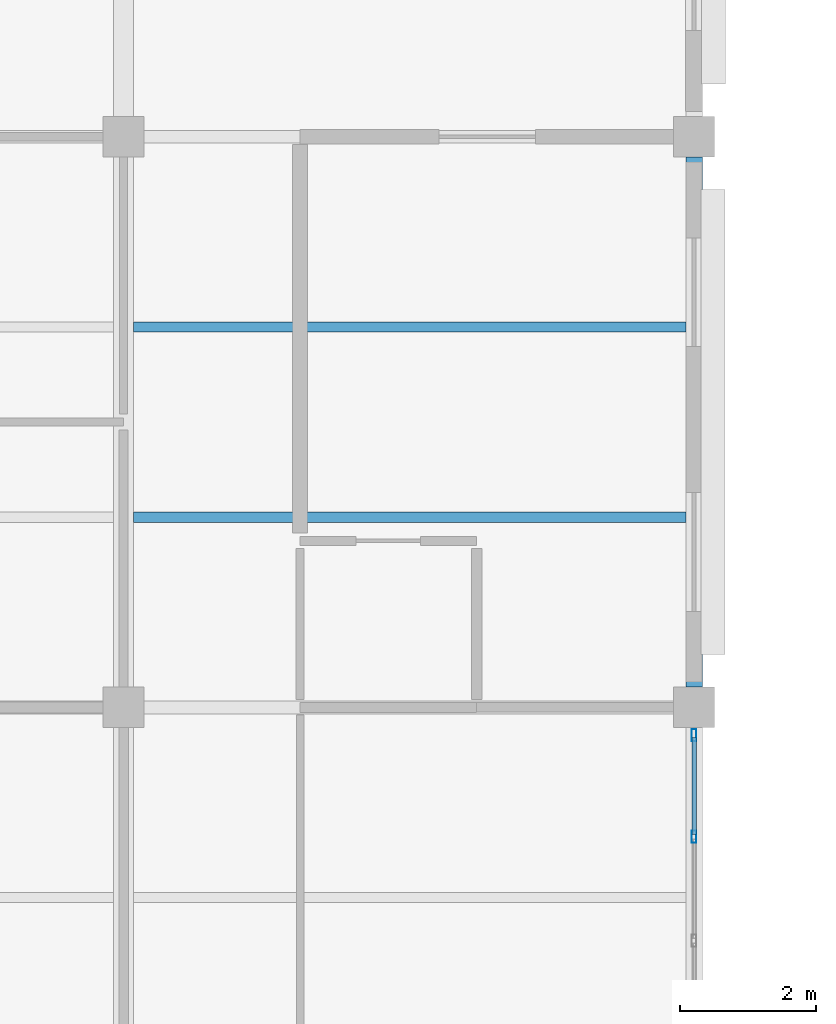
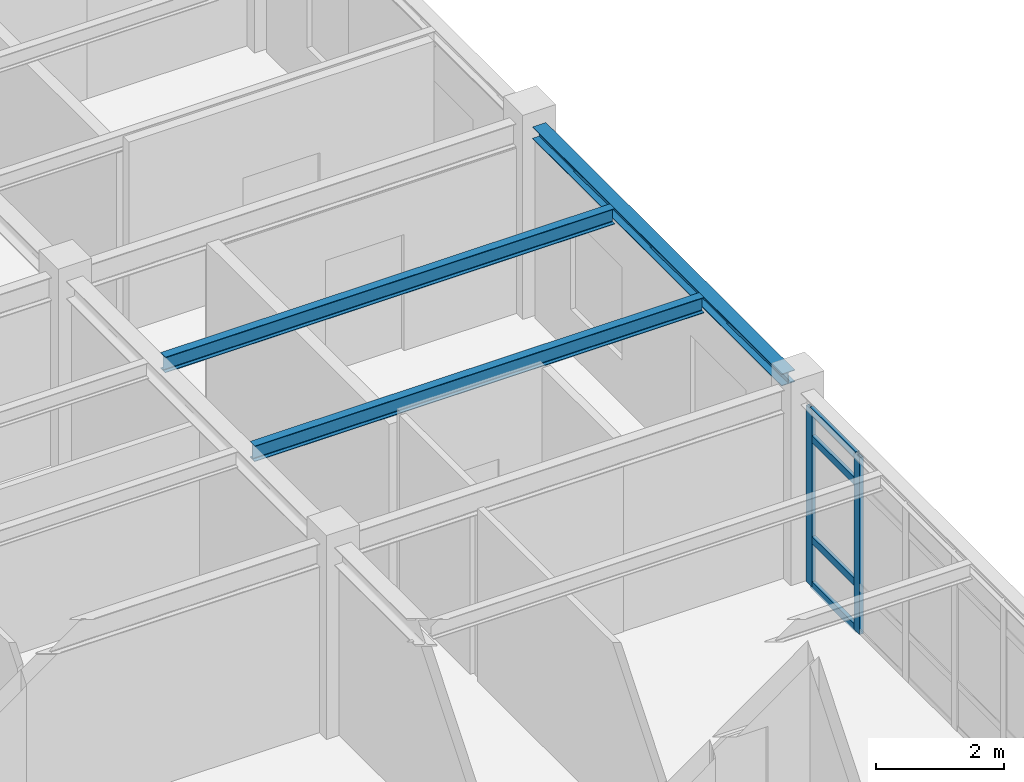
# One storey, part 12 of 86: 6 members, 3 beams, 1 element without a shape of its own.
"""IFC4 building model written with IfcOpenShell, lengths in metres."""

from ifc_helpers import new_model, si_unit, direction, frame, origin, origin_2d, place, context, subcontext, project, spatial, hollow_rectangle, i_section, extrude, material, layer, layer_set, material_profile, profile_set, type_object, element, aggregate, save


model = new_model("IFC4")

# Units and contexts
model_context = context("Model", 3, precision=1e-05, world=origin(), true_north=direction((0.0, 1.0)))
body_context = subcontext(model_context, "Body", "Model", "MODEL_VIEW")
ifc_project = project(units=[si_unit("LENGTHUNIT", "METRE"), si_unit("AREAUNIT", "SQUARE_METRE"), si_unit("VOLUMEUNIT", "CUBIC_METRE"), si_unit("PLANEANGLEUNIT", "RADIAN"), si_unit("MASSUNIT", "GRAM", prefix="KILO")], contexts=[model_context])

# Site, building, storey
site_placement = place(None, origin())
site = spatial("IfcSite", under=ifc_project, at=site_placement, CompositionType="ELEMENT")
building_placement = place(site_placement, origin())
building = spatial("IfcBuilding", under=site, at=building_placement, Name="Bramfleet General Hospital", CompositionType="ELEMENT")
storey_placement = place(building_placement, frame((0.0, 0.0, 18.60009765625)))
storey = spatial("IfcBuildingStorey", under=building, at=storey_placement, Name="L04", CompositionType="ELEMENT", Elevation=18.60009765625)

# Beams
ifc_material_1 = material(Name="Steel S355", Category="steel")
ifc_material_profile_1 = material_profile(ifc_material_1, i_section(OverallWidth=0.239990234375, OverallDepth=0.22998046875, WebThickness=0.007568359375, FlangeThickness=0.011962890625, FilletRadius=0.02099609375, at=origin_2d()), Name="HEA 240")
ifc_profile_set_1 = profile_set([ifc_material_profile_1], Name="Steel S355")
beam_type_1 = type_object("IfcBeamType", Name="BM-HEA240", PredefinedType="SPANDREL", material=ifc_profile_set_1)
beam_placement = place(storey_placement, frame((117.60009765625, 33.89990234375, 3.5048828125), z_axis=(0.0, 1.0, 0.0), x_axis=(-1.0, 0.0, 0.0)))
element("IfcBeam", 1, at=beam_placement, inside=storey, type_object=beam_type_1, Name="L04 Grid Beam Y 14-04", PredefinedType="SPANDREL", context=body_context, shape_type="SweptSolid", body=[
    extrude(i_section(OverallWidth=0.239990234375, OverallDepth=0.22998046875, WebThickness=0.007568359375, FlangeThickness=0.011962890625, FilletRadius=0.02099609375, at=origin_2d()), origin(), (0.0, 0.0, 1.0), 7.800048828125),
])
ifc_material_profile_2 = material_profile(ifc_material_1, i_section(OverallWidth=0.14990234375, OverallDepth=0.300048828125, WebThickness=0.007080078125, FlangeThickness=0.0107421875, FilletRadius=0.014892578125, at=origin_2d()), Name="IPE 300")
ifc_profile_set_2 = profile_set([ifc_material_profile_2], Name="Steel S355")
beam_type_2 = type_object("IfcBeamType", Name="BM-IPE300", PredefinedType="JOIST", material=ifc_profile_set_2)
for number, where, z_axis, x_axis, name in (
    (2, (109.35009765625, 36.39990234375, 3.469970703125), (1.0, 0.0, 0.0), (0.0, 1.0, 0.0), "L04 Secondary Joist 13-04-1"),
    (3, (109.35009765625, 39.199951171875, 3.469970703125), (1.0, 0.0, 0.0), (0.0, 1.0, 0.0), "L04 Secondary Joist 13-04-2"),
):
    element("IfcBeam", number, at=place(storey_placement, frame(where, z_axis=z_axis, x_axis=x_axis)), inside=storey, type_object=beam_type_2, Name=name, PredefinedType="JOIST", context=body_context, shape_type="SweptSolid", body=[
        extrude(i_section(OverallWidth=0.14990234375, OverallDepth=0.300048828125, WebThickness=0.007080078125, FlangeThickness=0.0107421875, FilletRadius=0.014892578125, at=origin_2d()), origin(), (0.0, 0.0, 1.0), 8.1298828125),
    ])

# Curtain wall, members
ifc_material_2 = material(Name="Anodised aluminium and low-E triple glazing", Category="aluminium")
ifc_layer = layer(ifc_material_2, 0.179931640625, Name="CWT-CW-13")
ifc_layer_set = layer_set([ifc_layer], Name="Anodised aluminium and low-E triple glazing")
curtain_wall_type = type_object("IfcCurtainWallType", Name="CWT-CW-13", PredefinedType="USERDEFINED", material=ifc_layer_set)
curtain_wall_placement = place(storey_placement, origin())
curtain_wall = element("IfcCurtainWall", 4, at=curtain_wall_placement, inside=storey, type_object=curtain_wall_type, Name="L04 Curtain Wall 193", ObjectType="Stick curtain wall", PredefinedType="USERDEFINED")
ifc_material_3 = material(Name="Anodised aluminium EN AW-6060", Category="aluminium")
ifc_material_profile_3 = material_profile(ifc_material_3, hollow_rectangle(XDim=0.070068359375, YDim=0.179931640625, WallThickness=0.00390625, at=origin_2d()), Name="ALU 180x70x4.0")
ifc_profile_set_3 = profile_set([ifc_material_profile_3], Name="Anodised aluminium EN AW-6060")
member_type_1 = type_object("IfcMemberType", Name="CWM-ALU180", PredefinedType="MULLION", material=ifc_profile_set_3)
member_1_placement = place(storey_placement, frame((117.60009765625, 33.18994140625, 0.0), z_axis=(0.0, 0.0, 1.0), x_axis=(1.0, 0.0, 0.0)))
member_1 = element("IfcMember", 5, at=member_1_placement, type_object=member_type_1, Name="CW-13 mullion 1", PredefinedType="MULLION", context=body_context, shape_type="SweptSolid", body=[
    extrude(hollow_rectangle(XDim=0.070068359375, YDim=0.179931640625, WallThickness=0.00390625, at=origin_2d()), origin(), (0.0, 0.0, 1.0), 3.3798828125),
])
member_2_placement = place(storey_placement, frame((117.60009765625, 31.695068359375, 0.0), z_axis=(0.0, 0.0, 1.0), x_axis=(1.0, 0.0, 0.0)))
member_2 = element("IfcMember", 6, at=member_2_placement, type_object=member_type_1, Name="CW-13 mullion 2", PredefinedType="MULLION", context=body_context, shape_type="SweptSolid", body=[
    extrude(hollow_rectangle(XDim=0.070068359375, YDim=0.179931640625, WallThickness=0.00390625, at=origin_2d()), origin(), (0.0, 0.0, 1.0), 3.3798828125),
])
ifc_material_profile_4 = material_profile(ifc_material_3, hollow_rectangle(XDim=0.06494140625, YDim=0.139892578125, WallThickness=0.00390625, at=origin_2d()), Name="ALU 140x65x4.0")
ifc_profile_set_4 = profile_set([ifc_material_profile_4], Name="Anodised aluminium EN AW-6060")
member_type_2 = type_object("IfcMemberType", Name="CWT-ALU140", PredefinedType="USERDEFINED", material=ifc_profile_set_4)
member_3_placement = place(storey_placement, frame((117.60009765625, 33.155029296875, 0.032470703125), z_axis=(0.0, -1.0, 0.0), x_axis=(1.0, 0.0, 0.0)))
member_3 = element("IfcMember", 7, at=member_3_placement, type_object=member_type_2, Name="CW-13 transom 1.1", ObjectType="TRANSOM", PredefinedType="USERDEFINED", context=body_context, shape_type="SweptSolid", body=[
    extrude(hollow_rectangle(XDim=0.06494140625, YDim=0.139892578125, WallThickness=0.00390625, at=origin_2d()), origin(), (0.0, 0.0, 1.0), 1.425048828125),
])
member_4_placement = place(storey_placement, frame((117.60009765625, 33.155029296875, 0.89990234375), z_axis=(0.0, -1.0, 0.0), x_axis=(1.0, 0.0, 0.0)))
member_4 = element("IfcMember", 8, at=member_4_placement, type_object=member_type_2, Name="CW-13 transom 1.2", ObjectType="TRANSOM", PredefinedType="USERDEFINED", context=body_context, shape_type="SweptSolid", body=[
    extrude(hollow_rectangle(XDim=0.06494140625, YDim=0.139892578125, WallThickness=0.00390625, at=origin_2d()), origin(), (0.0, 0.0, 1.0), 1.425048828125),
])
member_5_placement = place(storey_placement, frame((117.60009765625, 33.155029296875, 2.829833984375), z_axis=(0.0, -1.0, 0.0), x_axis=(1.0, 0.0, 0.0)))
member_5 = element("IfcMember", 9, at=member_5_placement, type_object=member_type_2, Name="CW-13 transom 1.3", ObjectType="TRANSOM", PredefinedType="USERDEFINED", context=body_context, shape_type="SweptSolid", body=[
    extrude(hollow_rectangle(XDim=0.06494140625, YDim=0.139892578125, WallThickness=0.00390625, at=origin_2d()), origin(), (0.0, 0.0, 1.0), 1.425048828125),
])
member_6_placement = place(storey_placement, frame((117.60009765625, 33.155029296875, 3.347412109375), z_axis=(0.0, -1.0, 0.0), x_axis=(1.0, 0.0, 0.0)))
member_6 = element("IfcMember", 10, at=member_6_placement, type_object=member_type_2, Name="CW-13 transom 1.4", ObjectType="TRANSOM", PredefinedType="USERDEFINED", context=body_context, shape_type="SweptSolid", body=[
    extrude(hollow_rectangle(XDim=0.06494140625, YDim=0.139892578125, WallThickness=0.00390625, at=origin_2d()), origin(), (0.0, 0.0, 1.0), 1.425048828125),
])
aggregate(curtain_wall, [member_1, member_2, member_3, member_4, member_5, member_6])

save(model, "model.ifc")
